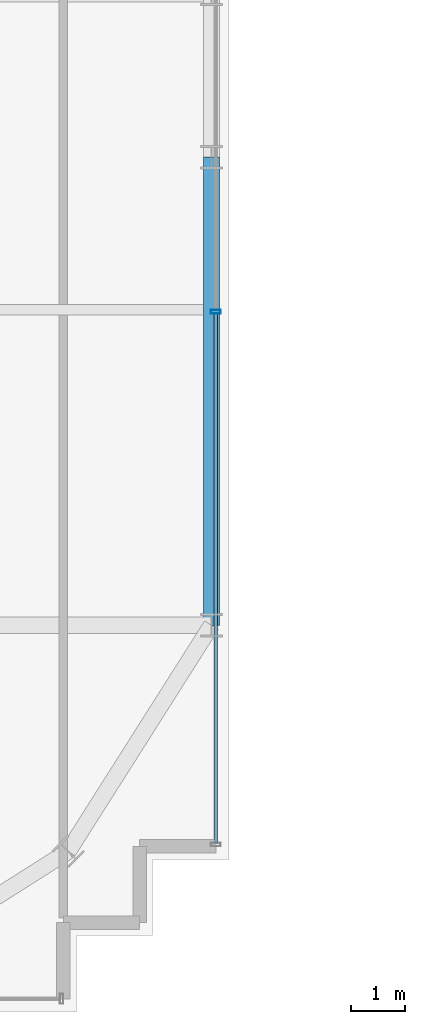
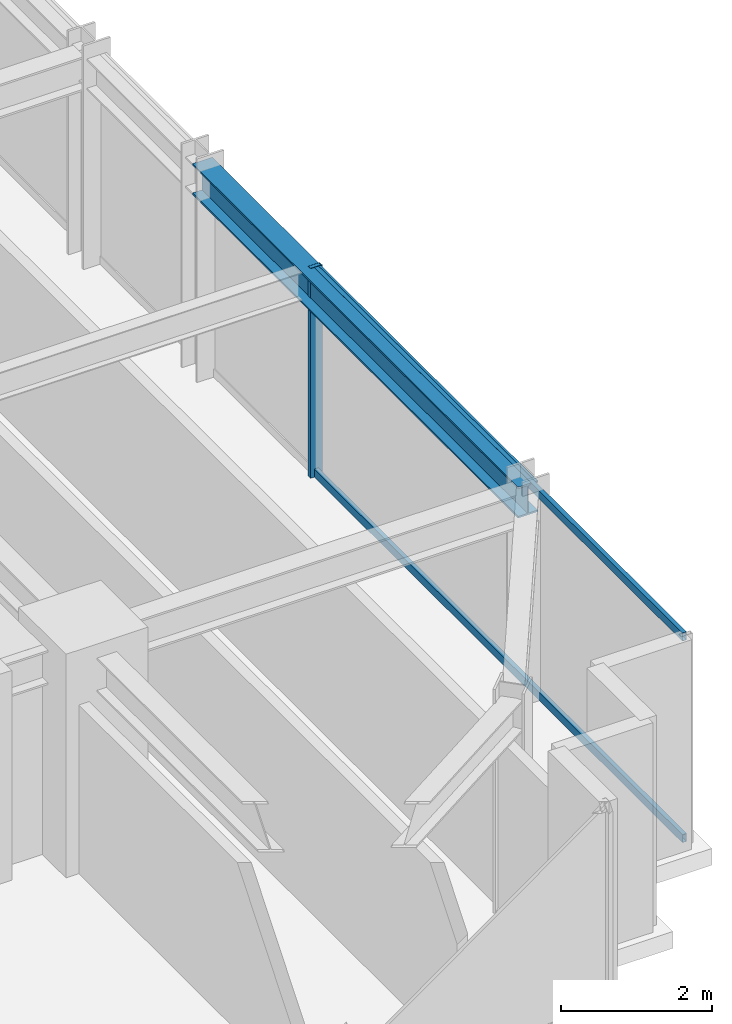
# One storey, part 13 of 32: 3 members, 1 beam, 1 element without a shape of its own.
"""IFC4 building model written with IfcOpenShell, lengths in metres."""

from ifc_helpers import new_model, si_unit, direction, frame, origin, origin_2d, place, context, subcontext, project, spatial, hollow_rectangle, i_section, extrude, source, transform, mapped, material, material_profile, profile_set, type_object, element, aggregate, save


model = new_model("IFC4")

# Units and contexts
model_context = context("Model", 3, precision=1e-05, world=origin(), true_north=direction((0.0, 1.0)))
body_context = subcontext(model_context, "Body", "Model", "MODEL_VIEW")
ifc_project = project(units=[si_unit("LENGTHUNIT", "METRE"), si_unit("AREAUNIT", "SQUARE_METRE"), si_unit("VOLUMEUNIT", "CUBIC_METRE"), si_unit("PLANEANGLEUNIT", "RADIAN"), si_unit("MASSUNIT", "GRAM", prefix="KILO")], contexts=[model_context])

# Site, building, storey
site_placement = place(None, origin())
site = spatial("IfcSite", under=ifc_project, at=site_placement, CompositionType="ELEMENT")
building_placement = place(site_placement, origin())
building = spatial("IfcBuilding", under=site, at=building_placement, Name="Nahalor Promenade Grand Hotel", CompositionType="ELEMENT")
storey_placement = place(building_placement, frame((0.0, 0.0, 102.89990234375)))
storey = spatial("IfcBuildingStorey", under=building, at=storey_placement, Name="L25", CompositionType="ELEMENT", Elevation=102.89990234375)

# Beam
ifc_material_1 = material(Name="Steel S355JR", Category="steel")
ifc_material_profile_1 = material_profile(ifc_material_1, i_section(OverallWidth=0.3, OverallDepth=0.5, WebThickness=0.0145, FlangeThickness=0.028, at=origin_2d()), Name="HEB 500")
ifc_profile_set_1 = profile_set([ifc_material_profile_1], Name="Steel S355JR")
beam_type = type_object("IfcBeamType", Name="Beam-Spandrel-HEB500", PredefinedType="SPANDREL", material=ifc_profile_set_1)
shared_shape_1 = source(origin(), body_context, "Body", "SweptSolid", [
    extrude(i_section(OverallWidth=0.3, OverallDepth=0.5, WebThickness=0.0145, FlangeThickness=0.028, at=origin_2d()), origin(), (0.0, 0.0, 1.0), 8.60009765625),
])
beam_placement = place(storey_placement, frame((23.780029296875, -17.0, 3.130126953125), z_axis=(0.0, 1.0, 0.0), x_axis=(-1.0, 0.0, 0.0)))
element("IfcBeam", 1, at=beam_placement, inside=storey, type_object=beam_type, Name="BM-L25-SP-E-0", PredefinedType="SPANDREL", context=body_context, shape_type="MappedRepresentation", body=[
    mapped(shared_shape_1, transform((0.0, 0.0, 0.0), scale=1.0)),
])

# Curtain wall, members
ifc_material_2 = material(Name="Anodised Bronze Aluminium EN AW-6063 T6", Category="aluminium")
curtain_wall_type = type_object("IfcCurtainWallType", Name="CW2 Typical Hotel Flush Bronze Unitised Curtain Wall", PredefinedType="USERDEFINED", material=ifc_material_2)
curtain_wall_placement = place(storey_placement, origin())
curtain_wall = element("IfcCurtainWall", 2, at=curtain_wall_placement, inside=storey, type_object=curtain_wall_type, Name="L25 Curtain Wall CW-L25-E-1", ObjectType="UNITISED_CURTAIN_WALL", PredefinedType="USERDEFINED")
ifc_material_profile_2 = material_profile(ifc_material_2, hollow_rectangle(XDim=0.065, YDim=0.13, WallThickness=0.004, at=origin_2d()), Name="CWT 65x130x4")
ifc_profile_set_2 = profile_set([ifc_material_profile_2], Name="Anodised Bronze Aluminium EN AW-6063 T6")
member_type_1 = type_object("IfcMemberType", Name="CWT2 Typical Bronze Transom 65x130", PredefinedType="USERDEFINED", material=ifc_profile_set_2)
shared_shape_2 = source(origin(), body_context, "Body", "SweptSolid", [
    extrude(hollow_rectangle(XDim=0.065, YDim=0.13, WallThickness=0.004, at=origin_2d()), origin(), (0.0, 0.0, 1.0), 9.72265625),
])
member_1_placement = place(storey_placement, frame((23.860107421875, -20.9951171875, 0.065185546875), z_axis=(0.0, 1.0, 0.0), x_axis=(-1.0, 0.0, 0.0)))
member_1 = element("IfcMember", 3, at=member_1_placement, type_object=member_type_1, Name="CW-L25-E-1 Transom 0-0", ObjectType="TRANSOM", PredefinedType="USERDEFINED", context=body_context, shape_type="MappedRepresentation", body=[
    mapped(shared_shape_2, transform((0.0, 0.0, 0.0), scale=1.0)),
])
member_2_placement = place(storey_placement, frame((23.860107421875, -20.9951171875, 3.315185546875), z_axis=(0.0, 1.0, 0.0), x_axis=(-1.0, 0.0, 0.0)))
member_2 = element("IfcMember", 4, at=member_2_placement, type_object=member_type_1, Name="CW-L25-E-1 Transom 0-1", ObjectType="TRANSOM", PredefinedType="USERDEFINED", context=body_context, shape_type="MappedRepresentation", body=[
    mapped(shared_shape_2, transform((0.0, 0.0, 0.0), scale=1.0)),
])
ifc_material_profile_3 = material_profile(ifc_material_2, hollow_rectangle(XDim=0.065, YDim=0.18, WallThickness=0.004, at=origin_2d()), Name="CWM 65x180x4")
ifc_profile_set_3 = profile_set([ifc_material_profile_3], Name="Anodised Bronze Aluminium EN AW-6063 T6")
member_type_2 = type_object("IfcMemberType", Name="CWM2 Typical Bronze Mullion 65x180", PredefinedType="MULLION", material=ifc_profile_set_3)
shared_shape_3 = source(origin(), body_context, "Body", "SweptSolid", [
    extrude(hollow_rectangle(XDim=0.065, YDim=0.18, WallThickness=0.004, at=origin_2d()), origin(), (0.0, 0.0, 1.0), 3.380126953125),
])
member_3_placement = place(storey_placement, frame((23.860107421875, -11.239990234375, 0.0), z_axis=(0.0, 0.0, 1.0), x_axis=(0.0, 1.0, 0.0)))
member_3 = element("IfcMember", 5, at=member_3_placement, type_object=member_type_2, Name="CW-L25-E-1 Mullion 1", PredefinedType="MULLION", context=body_context, shape_type="MappedRepresentation", body=[
    mapped(shared_shape_3, transform((0.0, 0.0, 0.0), scale=1.0)),
])
aggregate(curtain_wall, [member_3, member_1, member_2])

save(model, "model.ifc")
